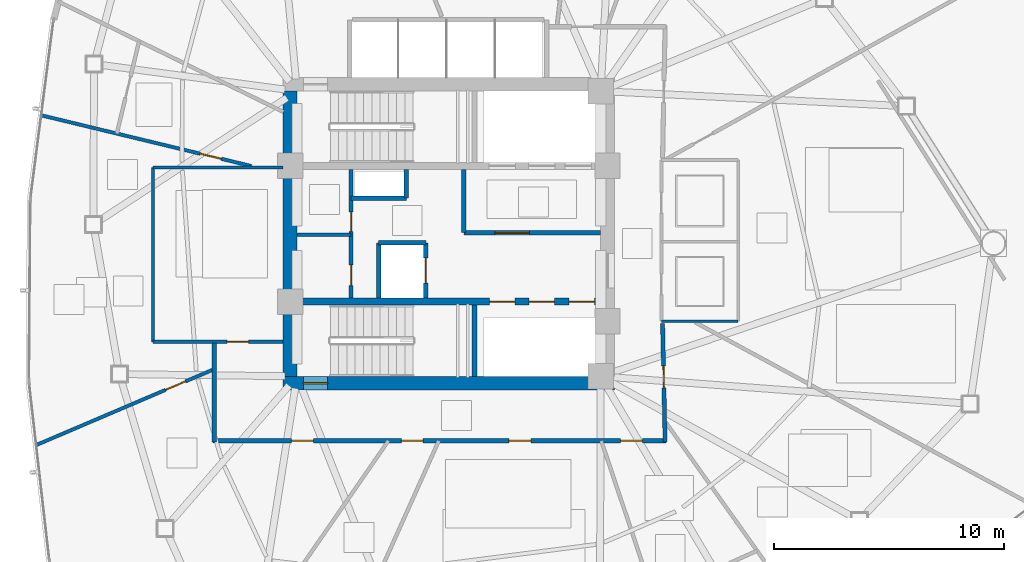
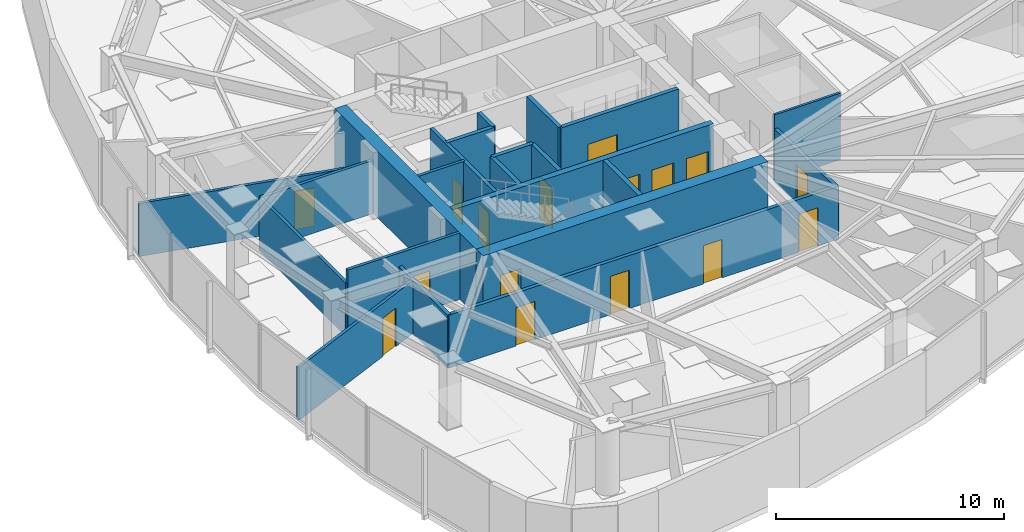
# One storey, part 11 of 17: 22 walls, 16 doors, 16 openings.
"""IFC4 building model written with IfcOpenShell, lengths in metres."""

from ifc_helpers import new_model, si_unit, direction, frame, frame_2d, origin, place, context, subcontext, project, spatial, rectangle, extrude, material, layer, layer_set, type_object, element, fill, save


model = new_model("IFC4")

# Units and contexts
model_context = context("Model", 3, precision=1e-05, world=origin(), true_north=direction((0.0, 1.0)))
body_context = subcontext(model_context, "Body", "Model", "MODEL_VIEW")
ifc_project = project(units=[si_unit("LENGTHUNIT", "METRE"), si_unit("AREAUNIT", "SQUARE_METRE"), si_unit("VOLUMEUNIT", "CUBIC_METRE"), si_unit("PLANEANGLEUNIT", "RADIAN"), si_unit("MASSUNIT", "GRAM", prefix="KILO")], contexts=[model_context])

# Site, building, storey
site_placement = place(None, origin())
site = spatial("IfcSite", under=ifc_project, at=site_placement, CompositionType="ELEMENT")
building_placement = place(site_placement, origin())
building = spatial("IfcBuilding", under=site, at=building_placement, Name="Tavelor Broadcast Tower", CompositionType="ELEMENT")
storey_placement = place(building_placement, frame((0.0, 0.0, 142.550048828125)))
storey = spatial("IfcBuildingStorey", under=building, at=storey_placement, Name="L33", CompositionType="ELEMENT", Elevation=142.550048828125)

# Wall, opening, door
ifc_material_1 = material(Name="Concrete C60/75", Category="concrete")
ifc_layer_1 = layer(ifc_material_1, 0.60009765625)
ifc_layer_set_1 = layer_set([ifc_layer_1], Name="Concrete C60/75")
wall_type_1 = type_object("IfcWallType", Name="Core Shear Wall 600 mm", PredefinedType="SHEAR", material=ifc_layer_set_1)
wall_1_placement = place(storey_placement, frame((42.800048828125, 38.5, 0.0), z_axis=(0.0, 0.0, 1.0), x_axis=(1.0, 0.0, 0.0)))
wall_1 = element("IfcWall", 1, at=wall_1_placement, inside=storey, type_object=wall_type_1, Name="L33 Central Core Shear Wall S", PredefinedType="SHEAR", context=body_context, shape_type="SweptSolid", body=[
    extrude(rectangle(XDim=14.39990234375, YDim=0.60009765625, at=frame_2d((7.199951171875, 0.0))), origin(), (0.0, 0.0, 1.0), 3.550048828125),
])
opening_1_placement = place(wall_1_placement, frame((0.8798828125, 0.0, 0.0)))
opening_1 = element("IfcOpeningElement", 2, at=opening_1_placement, cuts=wall_1, Name="Opening DR11", PredefinedType="OPENING", context=body_context, shape_type="SweptSolid", body=[
    extrude(rectangle(XDim=1.050048828125, YDim=2.199951171875, at=frame_2d((0.52490234375, 1.10009765625))), frame((0.0, 0.31005859375, 0.0), z_axis=(0.0, -1.0, 0.0), x_axis=(1.0, 0.0, 0.0)), (0.0, 0.0, 1.0), 0.6201171875),
])
ifc_material_2 = material(Name="Steel S355", Category="steel")
door_type_1 = type_object("IfcDoorType", Name="Stair Core Fire Escape Door 1050x2200", OperationType="NOTDEFINED", PredefinedType="DOOR", material=ifc_material_2)
door_1_placement = place(opening_1_placement, origin())
door_1 = element("IfcDoor", 3, at=door_1_placement, inside=storey, type_object=door_type_1, Name="L33 Stair ST2 Protected Exit Door", OperationType="SINGLE_SWING_RIGHT", OverallHeight=2.199951171875, OverallWidth=1.050048828125, PredefinedType="DOOR", context=body_context, shape_type="SweptSolid", body=[
    extrude(rectangle(XDim=1.050048828125, YDim=2.199951171875, at=frame_2d((0.52490234375, 1.10009765625))), frame((0.0, 0.02490234375, 0.0), z_axis=(0.0, -1.0, 0.0), x_axis=(1.0, 0.0, 0.0)), (0.0, 0.0, 1.0), 0.050048828125),
])
fill(opening_1, door_1)

# Wall
wall_2_placement = place(storey_placement, frame((43.10009765625, 38.800048828125, 0.0), z_axis=(0.0, 0.0, 1.0), x_axis=(0.0, 1.0, 0.0)))
element("IfcWall", 4, at=wall_2_placement, inside=storey, type_object=wall_type_1, Name="L33 Central Core Shear Wall W", PredefinedType="SHEAR", context=body_context, shape_type="SweptSolid", body=[
    extrude(rectangle(XDim=12.39990234375, YDim=0.60009765625, at=frame_2d((6.199951171875, 0.0))), origin(), (0.0, 0.0, 1.0), 3.550048828125),
])

# Wall, openings, doors
ifc_layer_2 = layer(ifc_material_1, 0.300048828125)
ifc_layer_set_2 = layer_set([ifc_layer_2], Name="Concrete C60/75")
wall_type_2 = type_object("IfcWallType", Name="Core Spine Shear Wall 300 mm C60", PredefinedType="SHEAR", material=ifc_layer_set_2)
wall_3_placement = place(storey_placement, frame((43.39990234375, 42.050048828125, 0.0), z_axis=(0.0, 0.0, 1.0), x_axis=(1.0, 0.0, 0.0)))
wall_3 = element("IfcWall", 5, at=wall_3_placement, inside=storey, type_object=wall_type_2, Name="L33 Central Core Shear Wall SP2", PredefinedType="SHEAR", context=body_context, shape_type="SweptSolid", body=[
    extrude(rectangle(XDim=13.2001953125, YDim=0.300048828125, at=frame_2d((6.60009765625, 0.0))), origin(), (0.0, 0.0, 1.0), 3.550048828125),
])
opening_2_placement = place(wall_3_placement, frame((8.3701171875, 0.0, 0.0)))
opening_2 = element("IfcOpeningElement", 6, at=opening_2_placement, cuts=wall_3, Name="Opening LD01", PredefinedType="OPENING", context=body_context, shape_type="SweptSolid", body=[
    extrude(rectangle(XDim=1.10009765625, YDim=2.14990234375, at=frame_2d((0.550048828125, 1.074951171875))), frame((0.0, 0.16015625, 0.0), z_axis=(0.0, -1.0, 0.0), x_axis=(1.0, 0.0, 0.0)), (0.0, 0.0, 1.0), 0.320068359375),
])
opening_3_placement = place(wall_3_placement, frame((10.090087890625, 0.0, 0.0)))
opening_3 = element("IfcOpeningElement", 7, at=opening_3_placement, cuts=wall_3, Name="Opening LD01", PredefinedType="OPENING", context=body_context, shape_type="SweptSolid", body=[
    extrude(rectangle(XDim=1.10009765625, YDim=2.14990234375, at=frame_2d((0.550048828125, 1.074951171875))), frame((0.0, 0.16015625, 0.0), z_axis=(0.0, -1.0, 0.0), x_axis=(1.0, 0.0, 0.0)), (0.0, 0.0, 1.0), 0.320068359375),
])
opening_4_placement = place(wall_3_placement, frame((11.830078125, 0.0, 0.0)))
opening_4 = element("IfcOpeningElement", 8, at=opening_4_placement, cuts=wall_3, Name="Opening LD01", PredefinedType="OPENING", context=body_context, shape_type="SweptSolid", body=[
    extrude(rectangle(XDim=1.10009765625, YDim=2.14990234375, at=frame_2d((0.550048828125, 1.074951171875))), frame((0.0, 0.16015625, 0.0), z_axis=(0.0, -1.0, 0.0), x_axis=(1.0, 0.0, 0.0)), (0.0, 0.0, 1.0), 0.320068359375),
])
ifc_material_3 = material(Name="Brushed Stainless Steel", Category="steel")
door_type_2 = type_object("IfcDoorType", Name="Passenger Lift Sliding Landing Door 1100x2150", OperationType="NOTDEFINED", PredefinedType="DOOR", material=ifc_material_3)
door_2_placement = place(opening_2_placement, origin())
door_2 = element("IfcDoor", 9, at=door_2_placement, inside=storey, type_object=door_type_2, Name="L33 Lift PLM1 Sliding Landing Door", OperationType="SLIDING_TO_LEFT", OverallHeight=2.14990234375, OverallWidth=1.10009765625, PredefinedType="DOOR", context=body_context, shape_type="SweptSolid", body=[
    extrude(rectangle(XDim=1.10009765625, YDim=2.14990234375, at=frame_2d((0.550048828125, 1.074951171875))), frame((0.0, 0.02490234375, 0.0), z_axis=(0.0, -1.0, 0.0), x_axis=(1.0, 0.0, 0.0)), (0.0, 0.0, 1.0), 0.050048828125),
])
fill(opening_2, door_2)
door_3_placement = place(opening_3_placement, origin())
door_3 = element("IfcDoor", 10, at=door_3_placement, inside=storey, type_object=door_type_2, Name="L33 Lift PLM2 Sliding Landing Door", OperationType="SLIDING_TO_LEFT", OverallHeight=2.14990234375, OverallWidth=1.10009765625, PredefinedType="DOOR", context=body_context, shape_type="SweptSolid", body=[
    extrude(rectangle(XDim=1.10009765625, YDim=2.14990234375, at=frame_2d((0.550048828125, 1.074951171875))), frame((0.0, 0.02490234375, 0.0), z_axis=(0.0, -1.0, 0.0), x_axis=(1.0, 0.0, 0.0)), (0.0, 0.0, 1.0), 0.050048828125),
])
fill(opening_3, door_3)
door_4_placement = place(opening_4_placement, origin())
door_4 = element("IfcDoor", 11, at=door_4_placement, inside=storey, type_object=door_type_2, Name="L33 Lift PLM3 Sliding Landing Door", OperationType="SLIDING_TO_LEFT", OverallHeight=2.14990234375, OverallWidth=1.10009765625, PredefinedType="DOOR", context=body_context, shape_type="SweptSolid", body=[
    extrude(rectangle(XDim=1.10009765625, YDim=2.14990234375, at=frame_2d((0.550048828125, 1.074951171875))), frame((0.0, 0.02490234375, 0.0), z_axis=(0.0, -1.0, 0.0), x_axis=(1.0, 0.0, 0.0)), (0.0, 0.0, 1.0), 0.050048828125),
])
fill(opening_4, door_4)

ifc_material_4 = material(Name="Calcium Silicate Fire Board 180 mm", Category="gypsum")
ifc_layer_3 = layer(ifc_material_4, 0.179931640625)
ifc_layer_set_3 = layer_set([ifc_layer_3], Name="Calcium Silicate Fire Board 180 mm")
wall_type_3 = type_object("IfcWallType", Name="Fire-Rated Corridor Partition Wall 180 mm", PredefinedType="PARTITIONING", material=ifc_layer_set_3)
wall_4_placement = place(storey_placement, frame((45.75, 42.199951171875, 0.0), z_axis=(0.0, 0.0, 1.0), x_axis=(0.0, 1.0, 0.0)))
wall_4 = element("IfcWall", 12, at=wall_4_placement, inside=storey, type_object=wall_type_3, Name="L33 Core West Service East Wall", PredefinedType="PARTITIONING", context=body_context, shape_type="SweptSolid", body=[
    extrude(rectangle(XDim=5.60009765625, YDim=0.179931640625, at=frame_2d((2.800048828125, 0.0))), origin(), (0.0, 0.0, 1.0), 3.550048828125),
])
opening_5_placement = place(wall_4_placement, frame((0.550048828125, 0.0, 0.0)))
opening_5 = element("IfcOpeningElement", 13, at=opening_5_placement, cuts=wall_4, Name="Opening DR32", PredefinedType="OPENING", context=body_context, shape_type="SweptSolid", body=[
    extrude(rectangle(XDim=0.89990234375, YDim=2.050048828125, at=frame_2d((0.449951171875, 1.02490234375))), frame((0.0, 0.10009765625, 0.0), z_axis=(0.0, -1.0, 0.0), x_axis=(1.0, 0.0, 0.0)), (0.0, 0.0, 1.0), 0.199951171875),
])
opening_6_placement = place(wall_4_placement, frame((2.89990234375, 0.0, 0.0)))
opening_6 = element("IfcOpeningElement", 14, at=opening_6_placement, cuts=wall_4, Name="Opening DR36", PredefinedType="OPENING", context=body_context, shape_type="SweptSolid", body=[
    extrude(rectangle(XDim=0.85009765625, YDim=2.050048828125, at=frame_2d((0.425048828125, 1.02490234375))), frame((0.0, 0.10009765625, 0.0), z_axis=(0.0, -1.0, 0.0), x_axis=(1.0, 0.0, 0.0)), (0.0, 0.0, 1.0), 0.199951171875),
])
ifc_material_5 = material(Name="Timber Solid Core Hardwood", Category="wood")
door_type_3 = type_object("IfcDoorType", Name="Accessible Washroom Door 900x2050", OperationType="NOTDEFINED", PredefinedType="DOOR", material=ifc_material_5)
door_5_placement = place(opening_5_placement, origin())
door_5 = element("IfcDoor", 15, at=door_5_placement, inside=storey, type_object=door_type_3, Name="L33 Core Accessible WC Door", OperationType="SINGLE_SWING_LEFT", OverallHeight=2.050048828125, OverallWidth=0.89990234375, PredefinedType="DOOR", context=body_context, shape_type="SweptSolid", body=[
    extrude(rectangle(XDim=0.89990234375, YDim=2.050048828125, at=frame_2d((0.449951171875, 1.02490234375))), frame((0.0, 0.02490234375, 0.0), z_axis=(0.0, -1.0, 0.0), x_axis=(1.0, 0.0, 0.0)), (0.0, 0.0, 1.0), 0.050048828125),
])
fill(opening_5, door_5)
door_type_4 = type_object("IfcDoorType", Name="Service Room Fire Door 850x2050", OperationType="NOTDEFINED", PredefinedType="DOOR", material=ifc_material_2)
door_6_placement = place(opening_6_placement, origin())
door_6 = element("IfcDoor", 16, at=door_6_placement, inside=storey, type_object=door_type_4, Name="L33 Core Cleaner Store Door", OperationType="SINGLE_SWING_RIGHT", OverallHeight=2.050048828125, OverallWidth=0.85009765625, PredefinedType="DOOR", context=body_context, shape_type="SweptSolid", body=[
    extrude(rectangle(XDim=0.85009765625, YDim=2.050048828125, at=frame_2d((0.425048828125, 1.02490234375))), frame((0.0, 0.02490234375, 0.0), z_axis=(0.0, -1.0, 0.0), x_axis=(1.0, 0.0, 0.0)), (0.0, 0.0, 1.0), 0.050048828125),
])
fill(opening_6, door_6)

# Wall, opening, door
wall_5_placement = place(storey_placement, frame((59.291015625, 41.10009765625, 0.0), z_axis=(0.0, 0.0, 1.0), x_axis=(0.021374589398, -0.999771537366, 0.0)))
wall_5 = element("IfcWall", 17, at=wall_5_placement, inside=storey, type_object=wall_type_3, Name="L33 Corridor Compartment Wall 03", PredefinedType="PARTITIONING", context=body_context, shape_type="SweptSolid", body=[
    extrude(rectangle(XDim=5.1513671875, YDim=0.179931640625, at=frame_2d((2.57568359375, 0.0))), origin(), (0.0, 0.0, 1.0), 2.8349609375),
])
opening_7_placement = place(wall_5_placement, frame((1.8486328125, 0.0, 0.0)))
opening_7 = element("IfcOpeningElement", 18, at=opening_7_placement, cuts=wall_5, Name="Opening DR18", PredefinedType="OPENING", context=body_context, shape_type="SweptSolid", body=[
    extrude(rectangle(XDim=0.949951171875, YDim=2.050048828125, at=frame_2d((0.47509765625, 1.02490234375))), frame((0.0, 0.10009765625, 0.0), z_axis=(0.0, -1.0, 0.0), x_axis=(1.0, 0.0, 0.0)), (0.0, 0.0, 1.0), 0.199951171875),
])
door_type_5 = type_object("IfcDoorType", Name="Corridor Rated Compartment Door 950x2050", OperationType="NOTDEFINED", PredefinedType="DOOR", material=ifc_material_5)
door_7_placement = place(opening_7_placement, origin())
door_7 = element("IfcDoor", 19, at=door_7_placement, inside=storey, type_object=door_type_5, Name="L33 Media Content Workshop Door R1", OperationType="SINGLE_SWING_RIGHT", OverallHeight=2.050048828125, OverallWidth=0.949951171875, PredefinedType="DOOR", context=body_context, shape_type="SweptSolid", body=[
    extrude(rectangle(XDim=0.949951171875, YDim=2.050048828125, at=frame_2d((0.47509765625, 1.02490234375))), frame((0.0, 0.02490234375, 0.0), z_axis=(0.0, -1.0, 0.0), x_axis=(1.0, 0.0, 0.0)), (0.0, 0.0, 1.0), 0.050048828125),
])
fill(opening_7, door_7)

# Wall, openings, doors
wall_6_placement = place(storey_placement, frame((59.449951171875, 36.0, 0.0), z_axis=(0.0, 0.0, 1.0), x_axis=(-1.0, 0.0, 0.0)))
wall_6 = element("IfcWall", 20, at=wall_6_placement, inside=storey, type_object=wall_type_3, Name="L33 Corridor Compartment Wall 04", PredefinedType="PARTITIONING", context=body_context, shape_type="SweptSolid", body=[
    extrude(rectangle(XDim=19.699951171875, YDim=0.179931640625, at=frame_2d((9.85009765625, 0.0))), origin(), (0.0, 0.0, 1.0), 2.8349609375),
])
opening_8_placement = place(wall_6_placement, frame((1.03515625, 0.0, 0.0)))
opening_8 = element("IfcOpeningElement", 21, at=opening_8_placement, cuts=wall_6, Name="Opening DR18", PredefinedType="OPENING", context=body_context, shape_type="SweptSolid", body=[
    extrude(rectangle(XDim=0.949951171875, YDim=2.050048828125, at=frame_2d((0.47509765625, 1.02490234375))), frame((0.0, 0.10009765625, 0.0), z_axis=(0.0, -1.0, 0.0), x_axis=(1.0, 0.0, 0.0)), (0.0, 0.0, 1.0), 0.199951171875),
])
opening_9_placement = place(wall_6_placement, frame((5.885498046875, 0.0, 0.0)))
opening_9 = element("IfcOpeningElement", 22, at=opening_9_placement, cuts=wall_6, Name="Opening DR18", PredefinedType="OPENING", context=body_context, shape_type="SweptSolid", body=[
    extrude(rectangle(XDim=0.949951171875, YDim=2.050048828125, at=frame_2d((0.47509765625, 1.02490234375))), frame((0.0, 0.10009765625, 0.0), z_axis=(0.0, -1.0, 0.0), x_axis=(1.0, 0.0, 0.0)), (0.0, 0.0, 1.0), 0.199951171875),
])
opening_10_placement = place(wall_6_placement, frame((10.56689453125, 0.0, 0.0)))
opening_10 = element("IfcOpeningElement", 23, at=opening_10_placement, cuts=wall_6, Name="Opening DR18", PredefinedType="OPENING", context=body_context, shape_type="SweptSolid", body=[
    extrude(rectangle(XDim=0.949951171875, YDim=2.050048828125, at=frame_2d((0.47509765625, 1.02490234375))), frame((0.0, 0.10009765625, 0.0), z_axis=(0.0, -1.0, 0.0), x_axis=(1.0, 0.0, 0.0)), (0.0, 0.0, 1.0), 0.199951171875),
])
opening_11_placement = place(wall_6_placement, frame((15.342529296875, 0.0, 0.0)))
opening_11 = element("IfcOpeningElement", 24, at=opening_11_placement, cuts=wall_6, Name="Opening DR18", PredefinedType="OPENING", context=body_context, shape_type="SweptSolid", body=[
    extrude(rectangle(XDim=0.949951171875, YDim=2.050048828125, at=frame_2d((0.47509765625, 1.02490234375))), frame((0.0, 0.10009765625, 0.0), z_axis=(0.0, -1.0, 0.0), x_axis=(1.0, 0.0, 0.0)), (0.0, 0.0, 1.0), 0.199951171875),
])
door_8_placement = place(opening_8_placement, origin())
door_8 = element("IfcDoor", 25, at=door_8_placement, inside=storey, type_object=door_type_5, Name="L33 VFX Compositing Lab Door R14", OperationType="SINGLE_SWING_LEFT", OverallHeight=2.050048828125, OverallWidth=0.949951171875, PredefinedType="DOOR", context=body_context, shape_type="SweptSolid", body=[
    extrude(rectangle(XDim=0.949951171875, YDim=2.050048828125, at=frame_2d((0.47509765625, 1.02490234375))), frame((0.0, 0.02490234375, 0.0), z_axis=(0.0, -1.0, 0.0), x_axis=(1.0, 0.0, 0.0)), (0.0, 0.0, 1.0), 0.050048828125),
])
fill(opening_8, door_8)
door_9_placement = place(opening_9_placement, origin())
door_9 = element("IfcDoor", 26, at=door_9_placement, inside=storey, type_object=door_type_5, Name="L33 Quiet Listening Room Door R3", OperationType="SINGLE_SWING_RIGHT", OverallHeight=2.050048828125, OverallWidth=0.949951171875, PredefinedType="DOOR", context=body_context, shape_type="SweptSolid", body=[
    extrude(rectangle(XDim=0.949951171875, YDim=2.050048828125, at=frame_2d((0.47509765625, 1.02490234375))), frame((0.0, 0.02490234375, 0.0), z_axis=(0.0, -1.0, 0.0), x_axis=(1.0, 0.0, 0.0)), (0.0, 0.0, 1.0), 0.050048828125),
])
fill(opening_9, door_9)
door_10_placement = place(opening_10_placement, origin())
door_10 = element("IfcDoor", 27, at=door_10_placement, inside=storey, type_object=door_type_5, Name="L33 Master Control Room Door R15", OperationType="SINGLE_SWING_LEFT", OverallHeight=2.050048828125, OverallWidth=0.949951171875, PredefinedType="DOOR", context=body_context, shape_type="SweptSolid", body=[
    extrude(rectangle(XDim=0.949951171875, YDim=2.050048828125, at=frame_2d((0.47509765625, 1.02490234375))), frame((0.0, 0.02490234375, 0.0), z_axis=(0.0, -1.0, 0.0), x_axis=(1.0, 0.0, 0.0)), (0.0, 0.0, 1.0), 0.050048828125),
])
fill(opening_10, door_10)
door_11_placement = place(opening_11_placement, origin())
door_11 = element("IfcDoor", 28, at=door_11_placement, inside=storey, type_object=door_type_5, Name="L33 Wellness Quiet Room Door R5", OperationType="SINGLE_SWING_RIGHT", OverallHeight=2.050048828125, OverallWidth=0.949951171875, PredefinedType="DOOR", context=body_context, shape_type="SweptSolid", body=[
    extrude(rectangle(XDim=0.949951171875, YDim=2.050048828125, at=frame_2d((0.47509765625, 1.02490234375))), frame((0.0, 0.02490234375, 0.0), z_axis=(0.0, -1.0, 0.0), x_axis=(1.0, 0.0, 0.0)), (0.0, 0.0, 1.0), 0.050048828125),
])
fill(opening_11, door_11)

# Walls
wall_7_placement = place(storey_placement, frame((39.800048828125, 35.949951171875, 0.0), z_axis=(0.0, 0.0, 1.0), x_axis=(0.0, 1.0, 0.0)))
element("IfcWall", 29, at=wall_7_placement, inside=storey, type_object=wall_type_3, Name="L33 Corridor Compartment Wall 05", PredefinedType="PARTITIONING", context=body_context, shape_type="SweptSolid", body=[
    extrude(rectangle(XDim=4.300048828125, YDim=0.179931640625, at=frame_2d((2.14990234375, 0.0))), origin(), (0.0, 0.0, 1.0), 2.8349609375),
])
ifc_material_6 = material(Name="Gypsum Acoustic Plasterboard 150 mm", Category="gypsum")
ifc_layer_4 = layer(ifc_material_6, 0.14990234375)
ifc_layer_set_4 = layer_set([ifc_layer_4], Name="Gypsum Acoustic Plasterboard 150 mm")
wall_type_4 = type_object("IfcWallType", Name="Interior Acoustic Partition Wall 150 mm", PredefinedType="PARTITIONING", material=ifc_layer_set_4)
wall_8_placement = place(storey_placement, frame((43.39990234375, 44.949951171875, 0.0), z_axis=(0.0, 0.0, 1.0), x_axis=(1.0, 0.0, 0.0)))
element("IfcWall", 30, at=wall_8_placement, inside=storey, type_object=wall_type_4, Name="L33 Core Split Wall A", PredefinedType="PARTITIONING", context=body_context, shape_type="SweptSolid", body=[
    extrude(rectangle(XDim=2.35009765625, YDim=0.14990234375, at=frame_2d((1.175048828125, 0.0))), origin(), (0.0, 0.0, 1.0), 3.550048828125),
])

# Wall, opening, door
wall_9_placement = place(storey_placement, frame((37.139892578125, 40.300048828125, 0.0), z_axis=(0.0, 0.0, 1.0), x_axis=(1.0, 0.0, 0.0)))
wall_9 = element("IfcWall", 31, at=wall_9_placement, inside=storey, type_object=wall_type_4, Name="L33 Reclaimed Shaft Pantry South Wall", PredefinedType="PARTITIONING", context=body_context, shape_type="SweptSolid", body=[
    extrude(rectangle(XDim=5.66015625, YDim=0.14990234375, at=frame_2d((2.830078125, 0.0))), origin(), (0.0, 0.0, 1.0), 3.550048828125),
])
opening_12_placement = place(wall_9_placement, frame((3.2099609375, 0.0, 0.0)))
opening_12 = element("IfcOpeningElement", 32, at=opening_12_placement, cuts=wall_9, Name="Opening DR18", PredefinedType="OPENING", context=body_context, shape_type="SweptSolid", body=[
    extrude(rectangle(XDim=0.949951171875, YDim=2.050048828125, at=frame_2d((0.47509765625, 1.02490234375))), frame((0.0, 0.0849609375, 0.0), z_axis=(0.0, -1.0, 0.0), x_axis=(1.0, 0.0, 0.0)), (0.0, 0.0, 1.0), 0.169921875),
])
door_12_placement = place(opening_12_placement, origin())
door_12 = element("IfcDoor", 33, at=door_12_placement, inside=storey, type_object=door_type_5, Name="L33 Broadcast IT Patch and Pantry Door", OperationType="SINGLE_SWING_LEFT", OverallHeight=2.050048828125, OverallWidth=0.949951171875, PredefinedType="DOOR", context=body_context, shape_type="SweptSolid", body=[
    extrude(rectangle(XDim=0.949951171875, YDim=2.050048828125, at=frame_2d((0.47509765625, 1.02490234375))), frame((0.0, 0.02490234375, 0.0), z_axis=(0.0, -1.0, 0.0), x_axis=(1.0, 0.0, 0.0)), (0.0, 0.0, 1.0), 0.050048828125),
])
fill(opening_12, door_12)

# Walls
wall_10_placement = place(storey_placement, frame((37.139892578125, 40.300048828125, 0.0), z_axis=(0.0, 0.0, 1.0), x_axis=(0.0, 1.0, 0.0)))
element("IfcWall", 34, at=wall_10_placement, inside=storey, type_object=wall_type_4, Name="L33 Reclaimed Shaft Pantry West Wall", PredefinedType="PARTITIONING", context=body_context, shape_type="SweptSolid", body=[
    extrude(rectangle(XDim=7.579833984375, YDim=0.14990234375, at=frame_2d((3.7900390625, 0.0))), origin(), (0.0, 0.0, 1.0), 2.8349609375),
])
wall_11_placement = place(storey_placement, frame((37.139892578125, 47.8798828125, 0.0), z_axis=(0.0, 0.0, 1.0), x_axis=(1.0, 0.0, 0.0)))
element("IfcWall", 35, at=wall_11_placement, inside=storey, type_object=wall_type_4, Name="L33 Reclaimed Shaft Pantry North Wall", PredefinedType="PARTITIONING", context=body_context, shape_type="SweptSolid", body=[
    extrude(rectangle(XDim=5.66015625, YDim=0.14990234375, at=frame_2d((2.830078125, 0.0))), origin(), (0.0, 0.0, 1.0), 2.8349609375),
])

# Wall, opening, door
wall_12_placement = place(storey_placement, frame((41.42578125, 47.93994140625, 0.0), z_axis=(0.0, 0.0, 1.0), x_axis=(-0.972055694845, 0.234750348495, 0.0)))
wall_12 = element("IfcWall", 36, at=wall_12_placement, inside=storey, type_object=wall_type_4, Name="L33 Radial Compartment Wall 06", PredefinedType="PARTITIONING", context=body_context, shape_type="SweptSolid", body=[
    extrude(rectangle(XDim=9.417236328125, YDim=0.14990234375, at=frame_2d((4.70849609375, 0.0))), origin(), (0.0, 0.0, 1.0), 2.8349609375),
])
opening_13_placement = place(wall_12_placement, frame((1.35009765625, 0.0, 0.0)))
opening_13 = element("IfcOpeningElement", 37, at=opening_13_placement, cuts=wall_12, Name="Opening DR18", PredefinedType="OPENING", context=body_context, shape_type="SweptSolid", body=[
    extrude(rectangle(XDim=0.949951171875, YDim=2.050048828125, at=frame_2d((0.47509765625, 1.02490234375))), frame((0.0, 0.0849609375, 0.0), z_axis=(0.0, -1.0, 0.0), x_axis=(1.0, 0.0, 0.0)), (0.0, 0.0, 1.0), 0.169921875),
])
door_13_placement = place(opening_13_placement, origin())
door_13 = element("IfcDoor", 38, at=door_13_placement, inside=storey, type_object=door_type_5, Name="L33 Suite Connecting Door 13", OperationType="SINGLE_SWING_LEFT", OverallHeight=2.050048828125, OverallWidth=0.949951171875, PredefinedType="DOOR", context=body_context, shape_type="SweptSolid", body=[
    extrude(rectangle(XDim=0.949951171875, YDim=2.050048828125, at=frame_2d((0.47509765625, 1.02490234375))), frame((0.0, 0.02490234375, 0.0), z_axis=(0.0, -1.0, 0.0), x_axis=(1.0, 0.0, 0.0)), (0.0, 0.0, 1.0), 0.050048828125),
])
fill(opening_13, door_13)

wall_13_placement = place(storey_placement, frame((39.800048828125, 39.1142578125, 0.0), z_axis=(0.0, 0.0, 1.0), x_axis=(-0.919829100512, -0.392319290694, 0.0)))
wall_13 = element("IfcWall", 39, at=wall_13_placement, inside=storey, type_object=wall_type_4, Name="L33 Radial Compartment Wall 07", PredefinedType="PARTITIONING", context=body_context, shape_type="SweptSolid", body=[
    extrude(rectangle(XDim=8.419189453125, YDim=0.14990234375, at=frame_2d((4.20947265625, 0.0))), origin(), (0.0, 0.0, 1.0), 2.8349609375),
])
opening_14_placement = place(wall_13_placement, frame((1.35009765625, 0.0, 0.0)))
opening_14 = element("IfcOpeningElement", 40, at=opening_14_placement, cuts=wall_13, Name="Opening DR18", PredefinedType="OPENING", context=body_context, shape_type="SweptSolid", body=[
    extrude(rectangle(XDim=0.949951171875, YDim=2.050048828125, at=frame_2d((0.47509765625, 1.02490234375))), frame((0.0, 0.0849609375, 0.0), z_axis=(0.0, -1.0, 0.0), x_axis=(1.0, 0.0, 0.0)), (0.0, 0.0, 1.0), 0.169921875),
])
door_14_placement = place(opening_14_placement, origin())
door_14 = element("IfcDoor", 41, at=door_14_placement, inside=storey, type_object=door_type_5, Name="L33 Suite Connecting Door 7", OperationType="SINGLE_SWING_RIGHT", OverallHeight=2.050048828125, OverallWidth=0.949951171875, PredefinedType="DOOR", context=body_context, shape_type="SweptSolid", body=[
    extrude(rectangle(XDim=0.949951171875, YDim=2.050048828125, at=frame_2d((0.47509765625, 1.02490234375))), frame((0.0, 0.02490234375, 0.0), z_axis=(0.0, -1.0, 0.0), x_axis=(1.0, 0.0, 0.0)), (0.0, 0.0, 1.0), 0.050048828125),
])
fill(opening_14, door_14)

ifc_material_7 = material(Name="Concrete Blockwork 200 mm", Category="masonry")
ifc_layer_5 = layer(ifc_material_7, 0.199951171875)
ifc_layer_set_5 = layer_set([ifc_layer_5], Name="Concrete Blockwork 200 mm")
wall_type_5 = type_object("IfcWallType", Name="Lift Hoistway Rated Front Wall 200 mm", PredefinedType="PARTITIONING", material=ifc_layer_set_5)
wall_14_placement = place(storey_placement, frame((49.0, 42.199951171875, 0.0), z_axis=(0.0, 0.0, 1.0), x_axis=(0.0, 1.0, 0.0)))
wall_14 = element("IfcWall", 42, at=wall_14_placement, inside=storey, type_object=wall_type_5, Name="L33 Mid-Rise Lift PLM4 Hoistway Front Wall", PredefinedType="PARTITIONING", context=body_context, shape_type="SweptSolid", body=[
    extrude(rectangle(XDim=2.400146484375, YDim=0.199951171875, at=frame_2d((1.2001953125, 0.0))), origin(), (0.0, 0.0, 1.0), 3.550048828125),
])
opening_15_placement = place(wall_14_placement, frame((0.64990234375, 0.0, 0.0)))
opening_15 = element("IfcOpeningElement", 43, at=opening_15_placement, cuts=wall_14, Name="Opening LD01", PredefinedType="OPENING", context=body_context, shape_type="SweptSolid", body=[
    extrude(rectangle(XDim=1.10009765625, YDim=2.14990234375, at=frame_2d((0.550048828125, 1.074951171875))), frame((0.0, 0.10986328125, 0.0), z_axis=(0.0, -1.0, 0.0), x_axis=(1.0, 0.0, 0.0)), (0.0, 0.0, 1.0), 0.219970703125),
])
door_15_placement = place(opening_15_placement, origin())
door_15 = element("IfcDoor", 44, at=door_15_placement, inside=storey, type_object=door_type_2, Name="L33 Lift PLM4 Sliding Landing Door", OperationType="SLIDING_TO_RIGHT", OverallHeight=2.14990234375, OverallWidth=1.10009765625, PredefinedType="DOOR", context=body_context, shape_type="SweptSolid", body=[
    extrude(rectangle(XDim=1.10009765625, YDim=2.14990234375, at=frame_2d((0.550048828125, 1.074951171875))), frame((0.0, 0.02490234375, 0.0), z_axis=(0.0, -1.0, 0.0), x_axis=(1.0, 0.0, 0.0)), (0.0, 0.0, 1.0), 0.050048828125),
])
fill(opening_15, door_15)

# Walls
ifc_layer_6 = layer(ifc_material_7, 0.199951171875)
ifc_layer_set_6 = layer_set([ifc_layer_6], Name="Concrete Blockwork 200 mm")
wall_type_6 = type_object("IfcWallType", Name="Lift and Riser Shaft Enclosure Wall 200 mm", PredefinedType="PARTITIONING", material=ifc_layer_set_6)
wall_15_placement = place(storey_placement, frame((45.75, 46.550048828125, 0.0), z_axis=(0.0, 0.0, 1.0), x_axis=(1.0, 0.0, 0.0)))
element("IfcWall", 45, at=wall_15_placement, inside=storey, type_object=wall_type_6, Name="L33 Riser Shaft South Wall", PredefinedType="PARTITIONING", context=body_context, shape_type="SweptSolid", body=[
    extrude(rectangle(XDim=2.39990234375, YDim=0.199951171875, at=frame_2d((1.199951171875, 0.0))), origin(), (0.0, 0.0, 1.0), 3.550048828125),
])
wall_16_placement = place(storey_placement, frame((48.14990234375, 46.550048828125, 0.0), z_axis=(0.0, 0.0, 1.0), x_axis=(0.0, 1.0, 0.0)))
element("IfcWall", 46, at=wall_16_placement, inside=storey, type_object=wall_type_6, Name="L33 Riser Shaft East Wall", PredefinedType="PARTITIONING", context=body_context, shape_type="SweptSolid", body=[
    extrude(rectangle(XDim=1.25, YDim=0.199951171875, at=frame_2d((0.625, 0.0))), origin(), (0.0, 0.0, 1.0), 3.550048828125),
])
wall_17_placement = place(storey_placement, frame((46.949951171875, 42.199951171875, 0.0), z_axis=(0.0, 0.0, 1.0), x_axis=(0.0, 1.0, 0.0)))
element("IfcWall", 47, at=wall_17_placement, inside=storey, type_object=wall_type_6, Name="L33 Mid-Rise Lift PLM4 West Wall", PredefinedType="PARTITIONING", context=body_context, shape_type="SweptSolid", body=[
    extrude(rectangle(XDim=2.400146484375, YDim=0.199951171875, at=frame_2d((1.2001953125, 0.0))), origin(), (0.0, 0.0, 1.0), 3.550048828125),
])
wall_18_placement = place(storey_placement, frame((46.949951171875, 44.60009765625, 0.0), z_axis=(0.0, 0.0, 1.0), x_axis=(1.0, 0.0, 0.0)))
element("IfcWall", 48, at=wall_18_placement, inside=storey, type_object=wall_type_6, Name="L33 Mid-Rise Lift PLM4 North Wall", PredefinedType="PARTITIONING", context=body_context, shape_type="SweptSolid", body=[
    extrude(rectangle(XDim=2.050048828125, YDim=0.199951171875, at=frame_2d((1.02490234375, 0.0))), origin(), (0.0, 0.0, 1.0), 3.550048828125),
])

# Wall, opening, door
wall_19_placement = place(storey_placement, frame((50.64990234375, 45.050048828125, 0.0), z_axis=(0.0, 0.0, 1.0), x_axis=(1.0, 0.0, 0.0)))
wall_19 = element("IfcWall", 49, at=wall_19_placement, inside=storey, type_object=wall_type_6, Name="L33 Firefighting Lobby South Wall", PredefinedType="PARTITIONING", context=body_context, shape_type="SweptSolid", body=[
    extrude(rectangle(XDim=5.9501953125, YDim=0.199951171875, at=frame_2d((2.97509765625, 0.0))), origin(), (0.0, 0.0, 1.0), 3.550048828125),
])
opening_16_placement = place(wall_19_placement, frame((1.35009765625, 0.0, 0.0)))
opening_16 = element("IfcOpeningElement", 50, at=opening_16_placement, cuts=wall_19, Name="Opening DR14", PredefinedType="OPENING", context=body_context, shape_type="SweptSolid", body=[
    extrude(rectangle(XDim=1.5, YDim=2.199951171875, at=frame_2d((0.75, 1.10009765625))), frame((0.0, 0.10986328125, 0.0), z_axis=(0.0, -1.0, 0.0), x_axis=(1.0, 0.0, 0.0)), (0.0, 0.0, 1.0), 0.219970703125),
])
door_type_6 = type_object("IfcDoorType", Name="Firefighting Lobby Double Fire Door 1500x2200", OperationType="NOTDEFINED", PredefinedType="DOOR", material=ifc_material_2)
door_16_placement = place(opening_16_placement, origin())
door_16 = element("IfcDoor", 51, at=door_16_placement, inside=storey, type_object=door_type_6, Name="L33 Firefighting Lobby Compartment Door", OperationType="SINGLE_SWING_RIGHT", OverallHeight=2.199951171875, OverallWidth=1.5, PredefinedType="DOOR", context=body_context, shape_type="SweptSolid", body=[
    extrude(rectangle(XDim=1.5, YDim=2.199951171875, at=frame_2d((0.75, 1.10009765625))), frame((0.0, 0.02490234375, 0.0), z_axis=(0.0, -1.0, 0.0), x_axis=(1.0, 0.0, 0.0)), (0.0, 0.0, 1.0), 0.050048828125),
])
fill(opening_16, door_16)

# Walls
wall_20_placement = place(storey_placement, frame((50.64990234375, 45.050048828125, 0.0), z_axis=(0.0, 0.0, 1.0), x_axis=(0.0, 1.0, 0.0)))
element("IfcWall", 52, at=wall_20_placement, inside=storey, type_object=wall_type_6, Name="L33 Firefighting Lobby West Wall", PredefinedType="PARTITIONING", context=body_context, shape_type="SweptSolid", body=[
    extrude(rectangle(XDim=2.75, YDim=0.199951171875, at=frame_2d((1.375, 0.0))), origin(), (0.0, 0.0, 1.0), 3.550048828125),
])
ifc_material_8 = material(Name="Moisture-Resistant Plasterboard 120 mm", Category="gypsum")
ifc_layer_7 = layer(ifc_material_8, 0.1201171875)
ifc_layer_set_7 = layer_set([ifc_layer_7], Name="Moisture-Resistant Plasterboard 120 mm")
wall_type_7 = type_object("IfcWallType", Name="Moisture-Resistant Wet-Room Partition 120 mm", PredefinedType="PARTITIONING", material=ifc_layer_set_7)
wall_21_placement = place(storey_placement, frame((59.239990234375, 41.199951171875, 0.0), z_axis=(0.0, 0.0, 1.0), x_axis=(1.0, 0.0, 0.0)))
element("IfcWall", 53, at=wall_21_placement, inside=storey, type_object=wall_type_7, Name="L33 Floor Washrooms South Wall", PredefinedType="PARTITIONING", context=body_context, shape_type="SweptSolid", body=[
    extrude(rectangle(XDim=3.340087890625, YDim=0.1201171875, at=frame_2d((1.669921875, 0.0))), origin(), (0.0, 0.0, 1.0), 3.550048828125),
])
ifc_material_9 = material(Name="Concrete C40/50", Category="concrete")
ifc_layer_8 = layer(ifc_material_9, 0.219970703125)
ifc_layer_set_8 = layer_set([ifc_layer_8], Name="Concrete C40/50")
wall_type_8 = type_object("IfcWallType", Name="Structural Stairwell Shear Wall 220 mm", PredefinedType="SHEAR", material=ifc_layer_set_8)
wall_22_placement = place(storey_placement, frame((51.110107421875, 38.800048828125, 0.0), z_axis=(0.0, 0.0, 1.0), x_axis=(0.0, 1.0, 0.0)))
element("IfcWall", 54, at=wall_22_placement, inside=storey, type_object=wall_type_8, Name="L33 Stair ST2 Structural Shaft Wall", PredefinedType="SHEAR", context=body_context, shape_type="SweptSolid", body=[
    extrude(rectangle(XDim=3.099853515625, YDim=0.219970703125, at=frame_2d((1.5498046875, 0.0))), origin(), (0.0, 0.0, 1.0), 3.550048828125),
])

save(model, "model.ifc")
